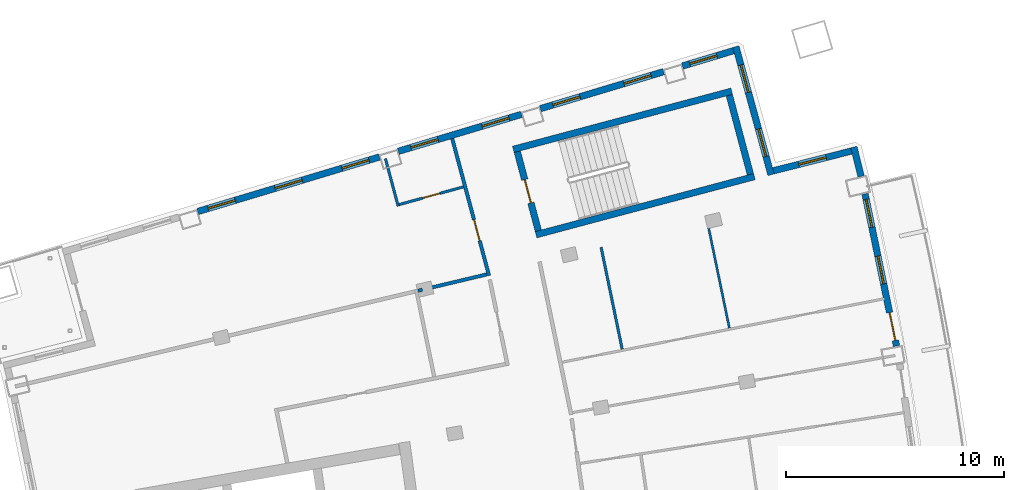
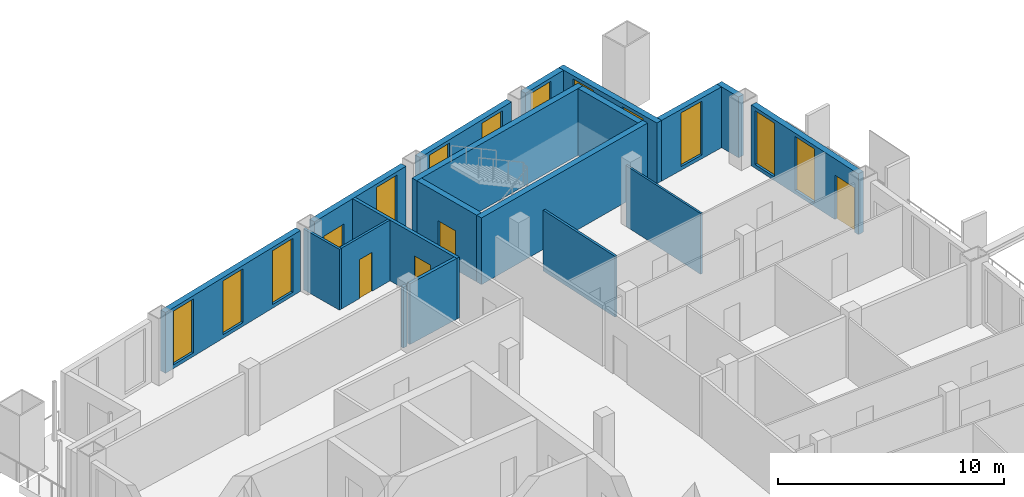
# One storey, part 13 of 17: 19 walls, 13 windows, 4 doors, 17 openings.
"""IFC4 building model written with IfcOpenShell, lengths in metres."""

from ifc_helpers import new_model, si_unit, direction, frame, frame_2d, origin, place, context, subcontext, project, spatial, rectangle, extrude, material, layer, layer_set, type_object, element, fill, save


model = new_model("IFC4")

# Units and contexts
model_context = context("Model", 3, precision=1e-05, world=origin(), true_north=direction((0.0, 1.0)))
body_context = subcontext(model_context, "Body", "Model", "MODEL_VIEW")
ifc_project = project(units=[si_unit("LENGTHUNIT", "METRE"), si_unit("AREAUNIT", "SQUARE_METRE"), si_unit("VOLUMEUNIT", "CUBIC_METRE"), si_unit("PLANEANGLEUNIT", "RADIAN"), si_unit("MASSUNIT", "GRAM", prefix="KILO")], contexts=[model_context])

# Site, building, storey
site_placement = place(None, origin())
site = spatial("IfcSite", under=ifc_project, at=site_placement, CompositionType="ELEMENT")
building_placement = place(site_placement, origin())
building = spatial("IfcBuilding", under=site, at=building_placement, Name="Alderwake Tower", CompositionType="ELEMENT")
storey_placement = place(building_placement, frame((0.0, 0.0, 270.800048828125)))
storey = spatial("IfcBuildingStorey", under=building, at=storey_placement, Name="L67", CompositionType="ELEMENT", Elevation=270.800048828125)

# Walls
ifc_material_1 = material(Name="Concrete C70/85", Category="concrete")
ifc_layer_1 = layer(ifc_material_1, 0.300048828125)
ifc_layer_set_1 = layer_set([ifc_layer_1], Name="Core wall stair enclosure 300 C70-85")
wall_type_1 = type_object("IfcWallType", Name="Core wall stair enclosure 300 C70-85", PredefinedType="SHEAR", material=ifc_layer_set_1)
for number, where, z_axis, x_axis, name in (
    (1, (36.71142578125, 94.182373046875, 0.0), (0.0, 0.0, 1.0), (0.966309214305, 0.257383958996, 0.0), "Core wall CW.082"),
    (2, (37.75390625, 90.268798828125, 0.0), (0.0, 0.0, 1.0), (0.966309214305, 0.257383958996, 0.0), "Core wall CW.084"),
):
    element("IfcWall", number, at=place(storey_placement, frame(where, z_axis=z_axis, x_axis=x_axis)), inside=storey, type_object=wall_type_1, Name=name, PredefinedType="SHEAR", context=body_context, shape_type="SweptSolid", body=[
        extrude(rectangle(XDim=10.360107421875, YDim=0.300048828125, at=frame_2d((5.18017578125, 0.0))), origin(), (0.0, 0.0, 1.0), 3.599853515625),
    ])

# Wall, opening, door
wall_1_placement = place(storey_placement, frame((37.8603515625, 90.452392578125, 0.0), z_axis=(0.0, 0.0, 1.0), x_axis=(-0.257411420208, 0.966301899381, 0.0)))
wall_1 = element("IfcWall", 3, at=wall_1_placement, inside=storey, type_object=wall_type_1, Name="Core wall CW.083", PredefinedType="SHEAR", context=body_context, shape_type="SweptSolid", body=[
    extrude(rectangle(XDim=3.750244140625, YDim=0.300048828125, at=frame_2d((1.875, 0.0))), origin(), (0.0, 0.0, 1.0), 3.599853515625),
])
opening_1_placement = place(wall_1_placement, frame((1.324951171875, 0.0, 0.0)))
opening_1 = element("IfcOpeningElement", 4, at=opening_1_placement, cuts=wall_1, Name="Opening C062", PredefinedType="OPENING", context=body_context, shape_type="SweptSolid", body=[
    extrude(rectangle(XDim=1.10009765625, YDim=2.10009765625, at=frame_2d((0.550048828125, 1.050048828125))), frame((0.0, 0.159912109375, 0.0), z_axis=(0.0, -1.0, 0.0), x_axis=(1.0, 0.0, 0.0)), (0.0, 0.0, 1.0), 0.320068359375),
])
ifc_material_2 = material(Name="Steel-framed fire door leaf", Category="steel")
door_type_1 = type_object("IfcDoorType", Name="Core stair door 1100 fire-rated", OperationType="SINGLE_SWING_LEFT", PredefinedType="DOOR", material=ifc_material_2)
door_1_placement = place(opening_1_placement, origin())
door_1 = element("IfcDoor", 5, at=door_1_placement, inside=storey, type_object=door_type_1, Name="Stair door", OperationType="SINGLE_SWING_RIGHT", OverallHeight=2.10009765625, OverallWidth=1.10009765625, PredefinedType="DOOR", context=body_context, shape_type="SweptSolid", body=[
    extrude(rectangle(XDim=1.10009765625, YDim=2.10009765625, at=frame_2d((0.550048828125, 1.050048828125))), frame((0.0, 0.02490234375, 0.0), z_axis=(0.0, -1.0, 0.0), x_axis=(1.0, 0.0, 0.0)), (0.0, 0.0, 1.0), 0.050048828125),
])
fill(opening_1, door_1)

# Walls
wall_2_placement = place(storey_placement, frame((47.581298828125, 93.041748046875, 0.0), z_axis=(0.0, 0.0, 1.0), x_axis=(-0.257366821694, 0.966313778796, 0.0)))
element("IfcWall", 6, at=wall_2_placement, inside=storey, type_object=wall_type_1, Name="Core wall CW.081", PredefinedType="SHEAR", context=body_context, shape_type="SweptSolid", body=[
    extrude(rectangle(XDim=3.749755859375, YDim=0.300048828125, at=frame_2d((1.875, 0.0))), origin(), (0.0, 0.0, 1.0), 3.599853515625),
])
ifc_material_3 = material(Name="Gypsum board on metal studs, rated")
ifc_layer_2 = layer(ifc_material_3, 0.159912109375)
ifc_layer_set_2 = layer_set([ifc_layer_2], Name="Corridor wall 160")
wall_type_2 = type_object("IfcWallType", Name="Corridor wall 160", PredefinedType="PARTITIONING", material=ifc_layer_set_2)
wall_3_placement = place(storey_placement, frame((32.5439453125, 87.7470703125, 0.0), z_axis=(0.0, 0.0, 1.0), x_axis=(-0.974391195695, -0.224859506699, 0.0)))
element("IfcWall", 7, at=wall_3_placement, inside=storey, type_object=wall_type_2, Name="WL/L67/W11", PredefinedType="PARTITIONING", context=body_context, shape_type="SweptSolid", body=[
    extrude(rectangle(XDim=0.205322265625, YDim=0.159912109375, at=frame_2d((0.1025390625, 0.0))), origin(), (0.0, 0.0, 1.0), 3.280029296875),
])

# Wall, opening, door
wall_4_placement = place(storey_placement, frame((35.600830078125, 88.392578125, 0.0), z_axis=(0.0, 0.0, 1.0), x_axis=(-0.259509260101, 0.965740619381, 0.0)))
wall_4 = element("IfcWall", 8, at=wall_4_placement, inside=storey, type_object=wall_type_2, Name="WL/L67/W12", PredefinedType="PARTITIONING", context=body_context, shape_type="SweptSolid", body=[
    extrude(rectangle(XDim=6.50732421875, YDim=0.159912109375, at=frame_2d((3.253662109375, 0.0))), origin(), (0.0, 0.0, 1.0), 3.280029296875),
])
opening_2_placement = place(wall_4_placement, frame((1.65771484375, 0.0, 0.0)))
opening_2 = element("IfcOpeningElement", 9, at=opening_2_placement, cuts=wall_4, Name="Opening R19-U08.1", PredefinedType="OPENING", context=body_context, shape_type="SweptSolid", body=[
    extrude(rectangle(XDim=1.0, YDim=2.10009765625, at=frame_2d((0.5, 1.050048828125))), frame((0.0, 0.08984375, 0.0), z_axis=(0.0, -1.0, 0.0), x_axis=(1.0, 0.0, 0.0)), (0.0, 0.0, 1.0), 0.179931640625),
])
ifc_material_4 = material(Name="Solid timber leaf in steel frame", Category="steel")
door_type_2 = type_object("IfcDoorType", Name="Flat entrance door 1000 fire-rated", OperationType="SINGLE_SWING_LEFT", PredefinedType="DOOR", material=ifc_material_4)
door_2_placement = place(opening_2_placement, origin())
door_2 = element("IfcDoor", 10, at=door_2_placement, inside=storey, type_object=door_type_2, Name="DR/L67/U08.1", OperationType="SINGLE_SWING_LEFT", OverallHeight=2.10009765625, OverallWidth=1.0, PredefinedType="DOOR", context=body_context, shape_type="SweptSolid", body=[
    extrude(rectangle(XDim=1.0, YDim=2.10009765625, at=frame_2d((0.5, 1.050048828125))), frame((0.0, 0.02490234375, 0.0), z_axis=(0.0, -1.0, 0.0), x_axis=(1.0, 0.0, 0.0)), (0.0, 0.0, 1.0), 0.050048828125),
])
fill(opening_2, door_2)

# Wall
wall_5_placement = place(storey_placement, frame((35.502197265625, 88.451416015625, 0.0), z_axis=(0.0, 0.0, 1.0), x_axis=(-0.972846580049, -0.231450927168, 0.0)))
element("IfcWall", 11, at=wall_5_placement, inside=storey, type_object=wall_type_2, Name="WL/L67/W14", PredefinedType="PARTITIONING", context=body_context, shape_type="SweptSolid", body=[
    extrude(rectangle(XDim=2.854248046875, YDim=0.159912109375, at=frame_2d((1.42724609375, 0.0))), origin(), (0.0, 0.0, 1.0), 3.280029296875),
])

# Wall, openings, door, windows
ifc_material_5 = material(Name="Precast concrete C50/60 spandrel panel", Category="concrete")
ifc_layer_3 = layer(ifc_material_5, 0.300048828125)
ifc_layer_set_3 = layer_set([ifc_layer_3], Name="External wall EW1 Precast concrete C50/60 spandrel")
wall_type_3 = type_object("IfcWallType", Name="External wall EW1 Precast concrete C50/60 spandrel", PredefinedType="SOLIDWALL", material=ifc_layer_set_3)
wall_6_placement = place(storey_placement, frame((54.280517578125, 85.169921875, 0.0), z_axis=(0.0, 0.0, 1.0), x_axis=(-0.202756509143, 0.979229185635, 0.0)))
wall_6 = element("IfcWall", 12, at=wall_6_placement, inside=storey, type_object=wall_type_3, Name="External wall 19", PredefinedType="SOLIDWALL", context=body_context, shape_type="SweptSolid", body=[
    extrude(rectangle(XDim=7.114990234375, YDim=0.300048828125, at=frame_2d((3.5576171875, 0.0))), origin(), (0.0, 0.0, 1.0), 3.280029296875),
])
opening_3_placement = place(wall_6_placement, frame((0.259521484375, 0.0, 0.0)))
opening_3 = element("IfcOpeningElement", 13, at=opening_3_placement, cuts=wall_6, Name="Opening D09", PredefinedType="OPENING", context=body_context, shape_type="SweptSolid", body=[
    extrude(rectangle(XDim=1.300048828125, YDim=2.39990234375, at=frame_2d((0.64990234375, 1.199951171875))), frame((0.0, 0.159912109375, 0.0), z_axis=(0.0, -1.0, 0.0), x_axis=(1.0, 0.0, 0.0)), (0.0, 0.0, 1.0), 0.320068359375),
])
opening_4_placement = place(wall_6_placement, frame((2.907470703125, 0.0, 0.199951171875)))
opening_4 = element("IfcOpeningElement", 14, at=opening_4_placement, cuts=wall_6, Name="Opening W1", PredefinedType="OPENING", context=body_context, shape_type="SweptSolid", body=[
    extrude(rectangle(XDim=1.300048828125, YDim=2.89990234375, at=frame_2d((0.64990234375, 1.449951171875))), frame((0.0, 0.159912109375, 0.0), z_axis=(0.0, -1.0, 0.0), x_axis=(1.0, 0.0, 0.0)), (0.0, 0.0, 1.0), 0.320068359375),
])
opening_5_placement = place(wall_6_placement, frame((5.555419921875, 0.0, 0.199951171875)))
opening_5 = element("IfcOpeningElement", 15, at=opening_5_placement, cuts=wall_6, Name="Opening W1", PredefinedType="OPENING", context=body_context, shape_type="SweptSolid", body=[
    extrude(rectangle(XDim=1.300048828125, YDim=2.89990234375, at=frame_2d((0.64990234375, 1.449951171875))), frame((0.0, 0.159912109375, 0.0), z_axis=(0.0, -1.0, 0.0), x_axis=(1.0, 0.0, 0.0)), (0.0, 0.0, 1.0), 0.320068359375),
])
ifc_material_6 = material(Name="Bronze tinted glass in aluminium frame", Category="aluminium")
door_type_3 = type_object("IfcDoorType", Name="Balcony door BD sliding", OperationType="SLIDING_TO_LEFT", PredefinedType="DOOR", material=ifc_material_6)
door_3_placement = place(opening_3_placement, origin())
door_3 = element("IfcDoor", 16, at=door_3_placement, inside=storey, type_object=door_type_3, Name="Door D09", OperationType="SLIDING_TO_LEFT", OverallHeight=2.39990234375, OverallWidth=1.300048828125, PredefinedType="DOOR", context=body_context, shape_type="SweptSolid", body=[
    extrude(rectangle(XDim=1.300048828125, YDim=2.39990234375, at=frame_2d((0.64990234375, 1.199951171875))), frame((0.0, 0.02490234375, 0.0), z_axis=(0.0, -1.0, 0.0), x_axis=(1.0, 0.0, 0.0)), (0.0, 0.0, 1.0), 0.050048828125),
])
fill(opening_3, door_3)
ifc_material_7 = material(Name="Bronze tinted glass in aluminium frame", Category="aluminium")
window_type_1 = type_object("IfcWindowType", Name="Window W1 tall fixed and vent", PartitioningType="DOUBLE_PANEL_VERTICAL", PredefinedType="WINDOW", material=ifc_material_7)
window_1_placement = place(opening_4_placement, origin())
window_1 = element("IfcWindow", 17, at=window_1_placement, inside=storey, type_object=window_type_1, Name="Window W1 tall fixed and vent", OverallHeight=2.89990234375, OverallWidth=1.300048828125, PartitioningType="DOUBLE_PANEL_VERTICAL", PredefinedType="WINDOW", context=body_context, shape_type="SweptSolid", body=[
    extrude(rectangle(XDim=1.300048828125, YDim=2.89990234375, at=frame_2d((0.64990234375, 1.449951171875))), frame((0.0, 0.030029296875, 0.0), z_axis=(0.0, -1.0, 0.0), x_axis=(1.0, 0.0, 0.0)), (0.0, 0.0, 1.0), 0.06005859375),
])
fill(opening_4, window_1)
window_2_placement = place(opening_5_placement, origin())
window_2 = element("IfcWindow", 18, at=window_2_placement, inside=storey, type_object=window_type_1, Name="Window W1 tall fixed and vent", OverallHeight=2.89990234375, OverallWidth=1.300048828125, PartitioningType="DOUBLE_PANEL_VERTICAL", PredefinedType="WINDOW", context=body_context, shape_type="SweptSolid", body=[
    extrude(rectangle(XDim=1.300048828125, YDim=2.89990234375, at=frame_2d((0.64990234375, 1.449951171875))), frame((0.0, 0.030029296875, 0.0), z_axis=(0.0, -1.0, 0.0), x_axis=(1.0, 0.0, 0.0)), (0.0, 0.0, 1.0), 0.06005859375),
])
fill(opening_5, window_2)

# Wall
wall_7_placement = place(storey_placement, frame((52.65576171875, 92.944091796875, 0.0), z_axis=(0.0, 0.0, 1.0), x_axis=(-0.23842552744, 0.971160783735, 0.0)))
element("IfcWall", 19, at=wall_7_placement, inside=storey, type_object=wall_type_3, Name="External wall 20", PredefinedType="SOLIDWALL", context=body_context, shape_type="SweptSolid", body=[
    extrude(rectangle(XDim=1.384521484375, YDim=0.300048828125, at=frame_2d((0.6923828125, 0.0))), origin(), (0.0, 0.0, 1.0), 3.280029296875),
])

# Wall, opening, window
ifc_material_8 = material(Name="Bronze metal cladding on lightweight framing")
ifc_layer_4 = layer(ifc_material_8, 0.300048828125)
ifc_layer_set_4 = layer_set([ifc_layer_4], Name="External wall EW2 bronze metal cladding")
wall_type_4 = type_object("IfcWallType", Name="External wall EW2 bronze metal cladding", PredefinedType="SOLIDWALL", material=ifc_layer_set_4)
wall_8_placement = place(storey_placement, frame((52.216064453125, 94.106201171875, 0.0), z_axis=(0.0, 0.0, 1.0), x_axis=(-0.96941119971, -0.245442306614, 0.0)))
wall_8 = element("IfcWall", 20, at=wall_8_placement, inside=storey, type_object=wall_type_4, Name="External wall 21", PredefinedType="SOLIDWALL", context=body_context, shape_type="SweptSolid", body=[
    extrude(rectangle(XDim=3.6943359375, YDim=0.300048828125, at=frame_2d((1.84716796875, 0.0))), origin(), (0.0, 0.0, 1.0), 3.280029296875),
])
opening_6_placement = place(wall_8_placement, frame((1.197021484375, 0.0, 0.199951171875)))
opening_6 = element("IfcOpeningElement", 21, at=opening_6_placement, cuts=wall_8, Name="Opening W1", PredefinedType="OPENING", context=body_context, shape_type="SweptSolid", body=[
    extrude(rectangle(XDim=1.300048828125, YDim=2.89990234375, at=frame_2d((0.64990234375, 1.449951171875))), frame((0.0, 0.159912109375, 0.0), z_axis=(0.0, -1.0, 0.0), x_axis=(1.0, 0.0, 0.0)), (0.0, 0.0, 1.0), 0.320068359375),
])
window_3_placement = place(opening_6_placement, origin())
window_3 = element("IfcWindow", 22, at=window_3_placement, inside=storey, type_object=window_type_1, Name="Window W1 tall fixed and vent", OverallHeight=2.89990234375, OverallWidth=1.300048828125, PartitioningType="DOUBLE_PANEL_VERTICAL", PredefinedType="WINDOW", context=body_context, shape_type="SweptSolid", body=[
    extrude(rectangle(XDim=1.300048828125, YDim=2.89990234375, at=frame_2d((0.64990234375, 1.449951171875))), frame((0.0, 0.030029296875, 0.0), z_axis=(0.0, -1.0, 0.0), x_axis=(1.0, 0.0, 0.0)), (0.0, 0.0, 1.0), 0.06005859375),
])
fill(opening_6, window_3)

# Wall, openings, windows
wall_9_placement = place(storey_placement, frame((48.529052734375, 93.01806640625, 0.0), z_axis=(0.0, 0.0, 1.0), x_axis=(-0.265045678323, 0.964235857248, 0.0)))
wall_9 = element("IfcWall", 23, at=wall_9_placement, inside=storey, type_object=wall_type_4, Name="External wall 22", PredefinedType="SOLIDWALL", context=body_context, shape_type="SweptSolid", body=[
    extrude(rectangle(XDim=6.09423828125, YDim=0.300048828125, at=frame_2d((3.047119140625, 0.0))), origin(), (0.0, 0.0, 1.0), 3.280029296875),
])
opening_7_placement = place(wall_9_placement, frame((0.87353515625, 0.0, 0.199951171875)))
opening_7 = element("IfcOpeningElement", 24, at=opening_7_placement, cuts=wall_9, Name="Opening W1", PredefinedType="OPENING", context=body_context, shape_type="SweptSolid", body=[
    extrude(rectangle(XDim=1.300048828125, YDim=2.89990234375, at=frame_2d((0.64990234375, 1.449951171875))), frame((0.0, 0.159912109375, 0.0), z_axis=(0.0, -1.0, 0.0), x_axis=(1.0, 0.0, 0.0)), (0.0, 0.0, 1.0), 0.320068359375),
])
opening_8_placement = place(wall_9_placement, frame((3.920654296875, 0.0, 0.199951171875)))
opening_8 = element("IfcOpeningElement", 25, at=opening_8_placement, cuts=wall_9, Name="Opening W1", PredefinedType="OPENING", context=body_context, shape_type="SweptSolid", body=[
    extrude(rectangle(XDim=1.300048828125, YDim=2.89990234375, at=frame_2d((0.64990234375, 1.449951171875))), frame((0.0, 0.159912109375, 0.0), z_axis=(0.0, -1.0, 0.0), x_axis=(1.0, 0.0, 0.0)), (0.0, 0.0, 1.0), 0.320068359375),
])
window_4_placement = place(opening_7_placement, origin())
window_4 = element("IfcWindow", 26, at=window_4_placement, inside=storey, type_object=window_type_1, Name="Window W1 tall fixed and vent", OverallHeight=2.89990234375, OverallWidth=1.300048828125, PartitioningType="DOUBLE_PANEL_VERTICAL", PredefinedType="WINDOW", context=body_context, shape_type="SweptSolid", body=[
    extrude(rectangle(XDim=1.300048828125, YDim=2.89990234375, at=frame_2d((0.64990234375, 1.449951171875))), frame((0.0, 0.030029296875, 0.0), z_axis=(0.0, -1.0, 0.0), x_axis=(1.0, 0.0, 0.0)), (0.0, 0.0, 1.0), 0.06005859375),
])
fill(opening_7, window_4)
window_5_placement = place(opening_8_placement, origin())
window_5 = element("IfcWindow", 27, at=window_5_placement, inside=storey, type_object=window_type_1, Name="Window W1 tall fixed and vent", OverallHeight=2.89990234375, OverallWidth=1.300048828125, PartitioningType="DOUBLE_PANEL_VERTICAL", PredefinedType="WINDOW", context=body_context, shape_type="SweptSolid", body=[
    extrude(rectangle(XDim=1.300048828125, YDim=2.89990234375, at=frame_2d((0.64990234375, 1.449951171875))), frame((0.0, 0.030029296875, 0.0), z_axis=(0.0, -1.0, 0.0), x_axis=(1.0, 0.0, 0.0)), (0.0, 0.0, 1.0), 0.06005859375),
])
fill(opening_8, window_5)

# Wall, opening, window
wall_10_placement = place(storey_placement, frame((46.809814453125, 98.70654296875, 0.0), z_axis=(0.0, 0.0, 1.0), x_axis=(-0.957774080788, -0.287521842946, 0.0)))
wall_10 = element("IfcWall", 28, at=wall_10_placement, inside=storey, type_object=wall_type_4, Name="External wall 23", PredefinedType="SOLIDWALL", context=body_context, shape_type="SweptSolid", body=[
    extrude(rectangle(XDim=2.4462890625, YDim=0.300048828125, at=frame_2d((1.22314453125, 0.0))), origin(), (0.0, 0.0, 1.0), 3.280029296875),
])
opening_9_placement = place(wall_10_placement, frame((0.799072265625, 0.0, 0.199951171875)))
opening_9 = element("IfcOpeningElement", 29, at=opening_9_placement, cuts=wall_10, Name="Opening W1", PredefinedType="OPENING", context=body_context, shape_type="SweptSolid", body=[
    extrude(rectangle(XDim=1.300048828125, YDim=2.89990234375, at=frame_2d((0.64990234375, 1.449951171875))), frame((0.0, 0.159912109375, 0.0), z_axis=(0.0, -1.0, 0.0), x_axis=(1.0, 0.0, 0.0)), (0.0, 0.0, 1.0), 0.320068359375),
])
window_6_placement = place(opening_9_placement, origin())
window_6 = element("IfcWindow", 30, at=window_6_placement, inside=storey, type_object=window_type_1, Name="Window W1 tall fixed and vent", OverallHeight=2.89990234375, OverallWidth=1.300048828125, PartitioningType="DOUBLE_PANEL_VERTICAL", PredefinedType="WINDOW", context=body_context, shape_type="SweptSolid", body=[
    extrude(rectangle(XDim=1.300048828125, YDim=2.89990234375, at=frame_2d((0.64990234375, 1.449951171875))), frame((0.0, 0.030029296875, 0.0), z_axis=(0.0, -1.0, 0.0), x_axis=(1.0, 0.0, 0.0)), (0.0, 0.0, 1.0), 0.06005859375),
])
fill(opening_9, window_6)

# Wall, openings, windows
wall_11_placement = place(storey_placement, frame((43.601806640625, 97.743408203125, 0.0), z_axis=(0.0, 0.0, 1.0), x_axis=(-0.957760170947, -0.287568174436, 0.0)))
wall_11 = element("IfcWall", 31, at=wall_11_placement, inside=storey, type_object=wall_type_4, Name="External wall 24", PredefinedType="SOLIDWALL", context=body_context, shape_type="SweptSolid", body=[
    extrude(rectangle(XDim=5.89697265625, YDim=0.300048828125, at=frame_2d((2.948486328125, 0.0))), origin(), (0.0, 0.0, 1.0), 3.280029296875),
])
opening_10_placement = place(wall_11_placement, frame((0.598388671875, 0.0, 0.199951171875)))
opening_10 = element("IfcOpeningElement", 32, at=opening_10_placement, cuts=wall_11, Name="Opening W1", PredefinedType="OPENING", context=body_context, shape_type="SweptSolid", body=[
    extrude(rectangle(XDim=1.300048828125, YDim=2.89990234375, at=frame_2d((0.64990234375, 1.449951171875))), frame((0.0, 0.159912109375, 0.0), z_axis=(0.0, -1.0, 0.0), x_axis=(1.0, 0.0, 0.0)), (0.0, 0.0, 1.0), 0.320068359375),
])
opening_11_placement = place(wall_11_placement, frame((3.99853515625, 0.0, 0.199951171875)))
opening_11 = element("IfcOpeningElement", 33, at=opening_11_placement, cuts=wall_11, Name="Opening W1", PredefinedType="OPENING", context=body_context, shape_type="SweptSolid", body=[
    extrude(rectangle(XDim=1.300048828125, YDim=2.89990234375, at=frame_2d((0.64990234375, 1.449951171875))), frame((0.0, 0.159912109375, 0.0), z_axis=(0.0, -1.0, 0.0), x_axis=(1.0, 0.0, 0.0)), (0.0, 0.0, 1.0), 0.320068359375),
])
window_7_placement = place(opening_10_placement, origin())
window_7 = element("IfcWindow", 34, at=window_7_placement, inside=storey, type_object=window_type_1, Name="Window W1 tall fixed and vent", OverallHeight=2.89990234375, OverallWidth=1.300048828125, PartitioningType="DOUBLE_PANEL_VERTICAL", PredefinedType="WINDOW", context=body_context, shape_type="SweptSolid", body=[
    extrude(rectangle(XDim=1.300048828125, YDim=2.89990234375, at=frame_2d((0.64990234375, 1.449951171875))), frame((0.0, 0.030029296875, 0.0), z_axis=(0.0, -1.0, 0.0), x_axis=(1.0, 0.0, 0.0)), (0.0, 0.0, 1.0), 0.06005859375),
])
fill(opening_10, window_7)
window_8_placement = place(opening_11_placement, origin())
window_8 = element("IfcWindow", 35, at=window_8_placement, inside=storey, type_object=window_type_1, Name="Window W1 tall fixed and vent", OverallHeight=2.89990234375, OverallWidth=1.300048828125, PartitioningType="DOUBLE_PANEL_VERTICAL", PredefinedType="WINDOW", context=body_context, shape_type="SweptSolid", body=[
    extrude(rectangle(XDim=1.300048828125, YDim=2.89990234375, at=frame_2d((0.64990234375, 1.449951171875))), frame((0.0, 0.030029296875, 0.0), z_axis=(0.0, -1.0, 0.0), x_axis=(1.0, 0.0, 0.0)), (0.0, 0.0, 1.0), 0.06005859375),
])
fill(opening_11, window_8)

wall_12_placement = place(storey_placement, frame((37.088623046875, 95.7880859375, 0.0), z_axis=(0.0, 0.0, 1.0), x_axis=(-0.957753322858, -0.287590981349, 0.0)))
wall_12 = element("IfcWall", 36, at=wall_12_placement, inside=storey, type_object=wall_type_4, Name="External wall 25", PredefinedType="SOLIDWALL", context=body_context, shape_type="SweptSolid", body=[
    extrude(rectangle(XDim=5.896484375, YDim=0.300048828125, at=frame_2d((2.9482421875, 0.0))), origin(), (0.0, 0.0, 1.0), 3.280029296875),
])
opening_12_placement = place(wall_12_placement, frame((0.598388671875, 0.0, 0.199951171875)))
opening_12 = element("IfcOpeningElement", 37, at=opening_12_placement, cuts=wall_12, Name="Opening W1", PredefinedType="OPENING", context=body_context, shape_type="SweptSolid", body=[
    extrude(rectangle(XDim=1.300048828125, YDim=2.89990234375, at=frame_2d((0.64990234375, 1.449951171875))), frame((0.0, 0.159912109375, 0.0), z_axis=(0.0, -1.0, 0.0), x_axis=(1.0, 0.0, 0.0)), (0.0, 0.0, 1.0), 0.320068359375),
])
opening_13_placement = place(wall_12_placement, frame((3.998291015625, 0.0, 1.0)))
opening_13 = element("IfcOpeningElement", 38, at=opening_13_placement, cuts=wall_12, Name="Opening W2", PredefinedType="OPENING", context=body_context, shape_type="SweptSolid", body=[
    extrude(rectangle(XDim=1.300048828125, YDim=1.199951171875, at=frame_2d((0.64990234375, 0.60009765625))), frame((0.0, 0.159912109375, 0.0), z_axis=(0.0, -1.0, 0.0), x_axis=(1.0, 0.0, 0.0)), (0.0, 0.0, 1.0), 0.320068359375),
])
window_9_placement = place(opening_12_placement, origin())
window_9 = element("IfcWindow", 39, at=window_9_placement, inside=storey, type_object=window_type_1, Name="Window W1 tall fixed and vent", OverallHeight=2.89990234375, OverallWidth=1.300048828125, PartitioningType="DOUBLE_PANEL_VERTICAL", PredefinedType="WINDOW", context=body_context, shape_type="SweptSolid", body=[
    extrude(rectangle(XDim=1.300048828125, YDim=2.89990234375, at=frame_2d((0.64990234375, 1.449951171875))), frame((0.0, 0.030029296875, 0.0), z_axis=(0.0, -1.0, 0.0), x_axis=(1.0, 0.0, 0.0)), (0.0, 0.0, 1.0), 0.06005859375),
])
fill(opening_12, window_9)
ifc_material_9 = material(Name="Bronze tinted glass in aluminium frame", Category="aluminium")
window_type_2 = type_object("IfcWindowType", Name="Window W2 kitchen and bath", PartitioningType="SINGLE_PANEL", PredefinedType="WINDOW", material=ifc_material_9)
window_10_placement = place(opening_13_placement, origin())
window_10 = element("IfcWindow", 40, at=window_10_placement, inside=storey, type_object=window_type_2, Name="Window W2 kitchen and bath", OverallHeight=1.199951171875, OverallWidth=1.300048828125, PartitioningType="SINGLE_PANEL", PredefinedType="WINDOW", context=body_context, shape_type="SweptSolid", body=[
    extrude(rectangle(XDim=1.300048828125, YDim=1.199951171875, at=frame_2d((0.64990234375, 0.60009765625))), frame((0.0, 0.030029296875, 0.0), z_axis=(0.0, -1.0, 0.0), x_axis=(1.0, 0.0, 0.0)), (0.0, 0.0, 1.0), 0.06005859375),
])
fill(opening_13, window_10)

wall_13_placement = place(storey_placement, frame((30.57568359375, 93.83251953125, 0.0), z_axis=(0.0, 0.0, 1.0), x_axis=(-0.957762902908, -0.287559075345, 0.0)))
wall_13 = element("IfcWall", 41, at=wall_13_placement, inside=storey, type_object=wall_type_4, Name="External wall 26", PredefinedType="SOLIDWALL", context=body_context, shape_type="SweptSolid", body=[
    extrude(rectangle(XDim=8.696533203125, YDim=0.300048828125, at=frame_2d((4.34814453125, 0.0))), origin(), (0.0, 0.0, 1.0), 3.280029296875),
])
opening_14_placement = place(wall_13_placement, frame((0.498291015625, 0.0, 0.199951171875)))
opening_14 = element("IfcOpeningElement", 42, at=opening_14_placement, cuts=wall_13, Name="Opening W1", PredefinedType="OPENING", context=body_context, shape_type="SweptSolid", body=[
    extrude(rectangle(XDim=1.300048828125, YDim=2.89990234375, at=frame_2d((0.64990234375, 1.449951171875))), frame((0.0, 0.159912109375, 0.0), z_axis=(0.0, -1.0, 0.0), x_axis=(1.0, 0.0, 0.0)), (0.0, 0.0, 1.0), 0.320068359375),
])
opening_15_placement = place(wall_13_placement, frame((3.6982421875, 0.0, 0.199951171875)))
opening_15 = element("IfcOpeningElement", 43, at=opening_15_placement, cuts=wall_13, Name="Opening W1", PredefinedType="OPENING", context=body_context, shape_type="SweptSolid", body=[
    extrude(rectangle(XDim=1.300048828125, YDim=2.89990234375, at=frame_2d((0.64990234375, 1.449951171875))), frame((0.0, 0.159912109375, 0.0), z_axis=(0.0, -1.0, 0.0), x_axis=(1.0, 0.0, 0.0)), (0.0, 0.0, 1.0), 0.320068359375),
])
opening_16_placement = place(wall_13_placement, frame((6.898193359375, 0.0, 0.199951171875)))
opening_16 = element("IfcOpeningElement", 44, at=opening_16_placement, cuts=wall_13, Name="Opening W1", PredefinedType="OPENING", context=body_context, shape_type="SweptSolid", body=[
    extrude(rectangle(XDim=1.300048828125, YDim=2.89990234375, at=frame_2d((0.64990234375, 1.449951171875))), frame((0.0, 0.159912109375, 0.0), z_axis=(0.0, -1.0, 0.0), x_axis=(1.0, 0.0, 0.0)), (0.0, 0.0, 1.0), 0.320068359375),
])
window_11_placement = place(opening_14_placement, origin())
window_11 = element("IfcWindow", 45, at=window_11_placement, inside=storey, type_object=window_type_1, Name="Window W1 tall fixed and vent", OverallHeight=2.89990234375, OverallWidth=1.300048828125, PartitioningType="DOUBLE_PANEL_VERTICAL", PredefinedType="WINDOW", context=body_context, shape_type="SweptSolid", body=[
    extrude(rectangle(XDim=1.300048828125, YDim=2.89990234375, at=frame_2d((0.64990234375, 1.449951171875))), frame((0.0, 0.030029296875, 0.0), z_axis=(0.0, -1.0, 0.0), x_axis=(1.0, 0.0, 0.0)), (0.0, 0.0, 1.0), 0.06005859375),
])
fill(opening_14, window_11)
window_12_placement = place(opening_15_placement, origin())
window_12 = element("IfcWindow", 46, at=window_12_placement, inside=storey, type_object=window_type_1, Name="Window W1 tall fixed and vent", OverallHeight=2.89990234375, OverallWidth=1.300048828125, PartitioningType="DOUBLE_PANEL_VERTICAL", PredefinedType="WINDOW", context=body_context, shape_type="SweptSolid", body=[
    extrude(rectangle(XDim=1.300048828125, YDim=2.89990234375, at=frame_2d((0.64990234375, 1.449951171875))), frame((0.0, 0.030029296875, 0.0), z_axis=(0.0, -1.0, 0.0), x_axis=(1.0, 0.0, 0.0)), (0.0, 0.0, 1.0), 0.06005859375),
])
fill(opening_15, window_12)
window_13_placement = place(opening_16_placement, origin())
window_13 = element("IfcWindow", 47, at=window_13_placement, inside=storey, type_object=window_type_1, Name="Window W1 tall fixed and vent", OverallHeight=2.89990234375, OverallWidth=1.300048828125, PartitioningType="DOUBLE_PANEL_VERTICAL", PredefinedType="WINDOW", context=body_context, shape_type="SweptSolid", body=[
    extrude(rectangle(XDim=1.300048828125, YDim=2.89990234375, at=frame_2d((0.64990234375, 1.449951171875))), frame((0.0, 0.030029296875, 0.0), z_axis=(0.0, -1.0, 0.0), x_axis=(1.0, 0.0, 0.0)), (0.0, 0.0, 1.0), 0.06005859375),
])
fill(opening_16, window_13)

# Walls
ifc_material_10 = material(Name="Gypsum board on metal studs")
ifc_layer_5 = layer(ifc_material_10, 0.10009765625)
ifc_layer_set_5 = layer_set([ifc_layer_5], Name="Unit partition 100")
wall_type_5 = type_object("IfcWallType", Name="Unit partition 100", PredefinedType="PARTITIONING", material=ifc_layer_set_5)
wall_14_placement = place(storey_placement, frame((46.618896484375, 85.987060546875, 0.0), z_axis=(0.0, 0.0, 1.0), x_axis=(-0.202660853236, 0.979248987013, 0.0)))
element("IfcWall", 48, at=wall_14_placement, inside=storey, type_object=wall_type_5, Name="WL/L67/W47", PredefinedType="PARTITIONING", context=body_context, shape_type="SweptSolid", body=[
    extrude(rectangle(XDim=4.968017578125, YDim=0.10009765625, at=frame_2d((2.48388671875, 0.0))), origin(), (0.0, 0.0, 1.0), 3.280029296875),
])
ifc_material_11 = material(Name="Moisture resistant gypsum board on metal studs")
ifc_layer_6 = layer(ifc_material_11, 0.1201171875)
ifc_layer_set_6 = layer_set([ifc_layer_6], Name="Wet room partition 120")
wall_type_6 = type_object("IfcWallType", Name="Wet room partition 120", PredefinedType="PARTITIONING", material=ifc_layer_set_6)
wall_15_placement = place(storey_placement, frame((30.84912109375, 93.759033203125, 0.0), z_axis=(0.0, 0.0, 1.0), x_axis=(0.259155613864, -0.965835580108, 0.0)))
element("IfcWall", 49, at=wall_15_placement, inside=storey, type_object=wall_type_6, Name="WL/L67/W26", PredefinedType="PARTITIONING", context=body_context, shape_type="SweptSolid", body=[
    extrude(rectangle(XDim=2.259033203125, YDim=0.1201171875, at=frame_2d((1.12939453125, 0.0))), origin(), (0.0, 0.0, 1.0), 3.280029296875),
])

# Wall, opening, door
wall_16_placement = place(storey_placement, frame((31.476806640625, 91.65087890625, 0.0), z_axis=(0.0, 0.0, 1.0), x_axis=(0.964118102321, 0.265473698843, 0.0)))
wall_16 = element("IfcWall", 50, at=wall_16_placement, inside=storey, type_object=wall_type_6, Name="WL/L67/W28", PredefinedType="PARTITIONING", context=body_context, shape_type="SweptSolid", body=[
    extrude(rectangle(XDim=3.058837890625, YDim=0.1201171875, at=frame_2d((1.529296875, 0.0))), origin(), (0.0, 0.0, 1.0), 3.280029296875),
])
opening_17_placement = place(wall_16_placement, frame((1.12939453125, 0.0, 0.0)))
opening_17 = element("IfcOpeningElement", 51, at=opening_17_placement, cuts=wall_16, Name="Opening R19-U08.2", PredefinedType="OPENING", context=body_context, shape_type="SweptSolid", body=[
    extrude(rectangle(XDim=0.800048828125, YDim=2.10009765625, at=frame_2d((0.39990234375, 1.050048828125))), frame((0.0, 0.070068359375, 0.0), z_axis=(0.0, -1.0, 0.0), x_axis=(1.0, 0.0, 0.0)), (0.0, 0.0, 1.0), 0.14013671875),
])
ifc_material_12 = material(Name="Painted timber leaf", Category="wood")
door_type_4 = type_object("IfcDoorType", Name="Bathroom door 800", OperationType="SINGLE_SWING_LEFT", PredefinedType="DOOR", material=ifc_material_12)
door_4_placement = place(opening_17_placement, origin())
door_4 = element("IfcDoor", 52, at=door_4_placement, inside=storey, type_object=door_type_4, Name="DR/L67/U08.2", OperationType="SINGLE_SWING_LEFT", OverallHeight=2.10009765625, OverallWidth=0.800048828125, PredefinedType="DOOR", context=body_context, shape_type="SweptSolid", body=[
    extrude(rectangle(XDim=0.800048828125, YDim=2.10009765625, at=frame_2d((0.39990234375, 1.050048828125))), frame((0.0, 0.02490234375, 0.0), z_axis=(0.0, -1.0, 0.0), x_axis=(1.0, 0.0, 0.0)), (0.0, 0.0, 1.0), 0.050048828125),
])
fill(opening_17, door_4)

# Wall
wall_17_placement = place(storey_placement, frame((41.704833984375, 85.01806640625, 0.0), z_axis=(0.0, 0.0, 1.0), x_axis=(-0.202669848328, 0.979247125387, 0.0)))
element("IfcWall", 53, at=wall_17_placement, inside=storey, type_object=wall_type_6, Name="WL/L67/W31", PredefinedType="PARTITIONING", context=body_context, shape_type="SweptSolid", body=[
    extrude(rectangle(XDim=4.775146484375, YDim=0.1201171875, at=frame_2d((2.3876953125, 0.0))), origin(), (0.0, 0.0, 1.0), 3.280029296875),
])

save(model, "model.ifc")
